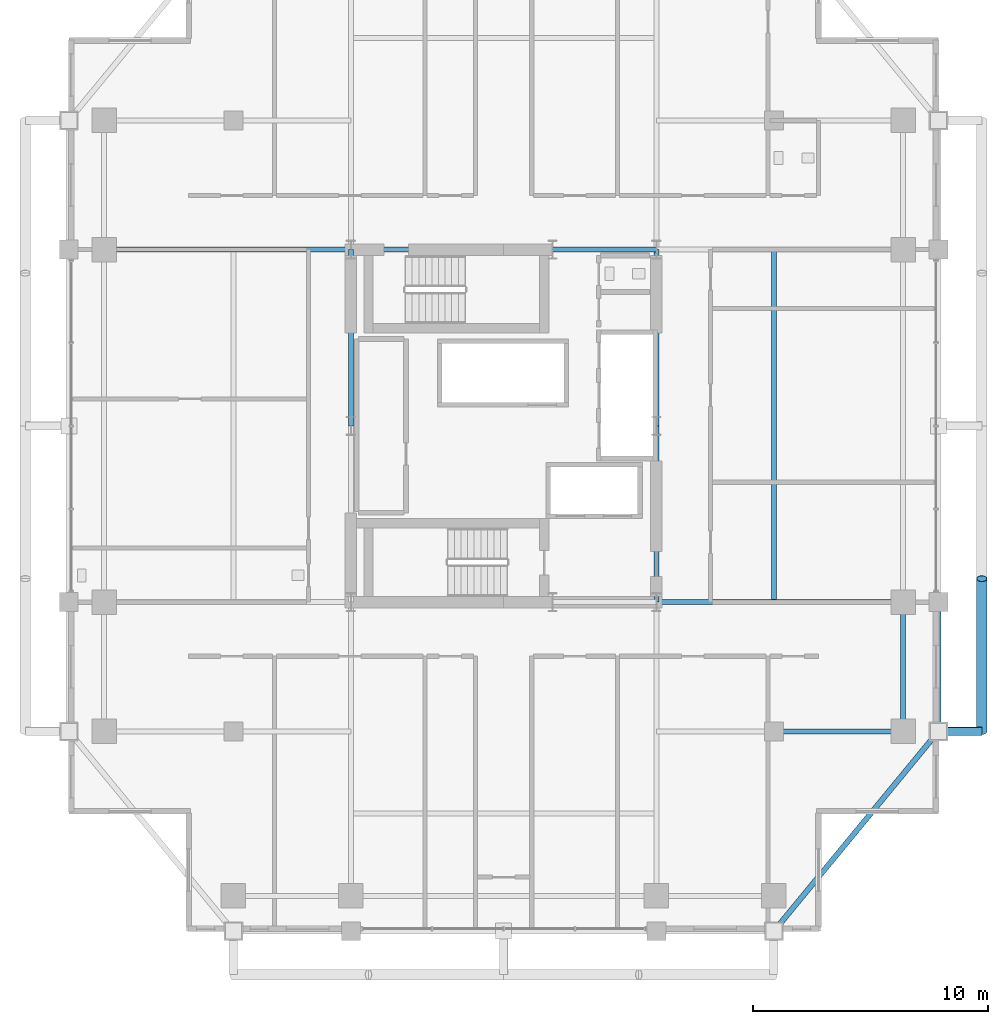
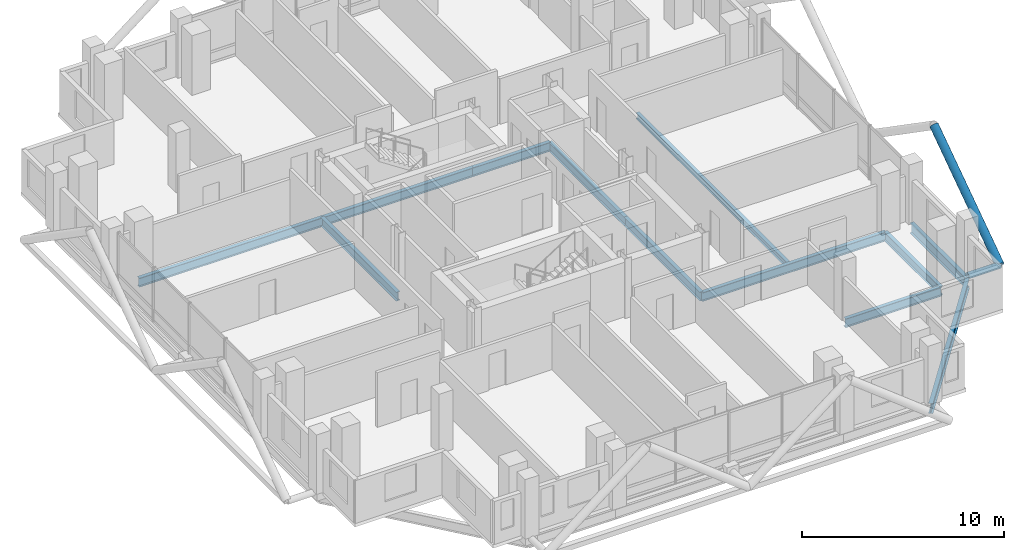
# One storey, part 10 of 25: 12 beams, 2 members.
"""IFC4 building model written with IfcOpenShell, lengths in metres."""

import ifcopenshell
import ifcopenshell.guid

model = None  # the IFC model being written
_history = None  # IfcOwnerHistory: only IFC2X3 demands one
_inside = {}  # id of a spatial element -> (the spatial element, [elements in it])
_under = {}  # id of a project, library or spatial element -> (it, [spatial elements below it])
_declared = {}  # id of a project -> (the project, [libraries it declares])
_typed = {}  # id of a type object -> (the type object, [elements of that type])
_made_of = {}  # id of a material, layer set ... -> (it, [elements and type objects made of it])


def new_model(schema):
    """Start an empty IFC model of exactly this schema.

    Asked for "IFC4X3", IfcOpenShell would pick the latest addendum, in which some entities
    have other attributes; the version numbers below select the first issue.
    IFC2X3 requires an IfcOwnerHistory on every rooted entity: one is made here for all.
    """
    global model, _history
    if schema == "IFC4X3":
        model = ifcopenshell.file(schema_version=(4, 3, 0, 0))
    else:
        model = ifcopenshell.file(schema=schema)
    _inside.clear()
    _under.clear()
    _declared.clear()
    _typed.clear()
    _made_of.clear()
    _history = None
    if model.schema == "IFC2X3":
        org = make("IfcOrganization", Name="unknown")
        user = make(
            "IfcPersonAndOrganization",
            ThePerson=make("IfcPerson", FamilyName="unknown"),
            TheOrganization=org,
        )
        app = make(
            "IfcApplication",
            ApplicationDeveloper=org,
            Version="unknown",
            ApplicationFullName="unknown",
            ApplicationIdentifier="unknown",
        )
        _history = make(
            "IfcOwnerHistory",
            OwningUser=user,
            OwningApplication=app,
            ChangeAction="ADDED",
            CreationDate=0,
        )
    return model


def make(cls, **values):
    """One entity of the class cls with the attributes given. An attribute that is None is left unset."""
    return model.create_entity(
        cls, **{name: value for name, value in values.items() if value is not None}
    )


def rooted(cls, **values):
    """An entity with a GlobalId (a new one), such as an element, a storey or a relation."""
    return make(cls, GlobalId=ifcopenshell.guid.new(), OwnerHistory=_history, **values)


def si_unit(unit_type, name, prefix=None):
    """IfcSIUnit, for example si_unit("LENGTHUNIT", "METRE", prefix="MILLI")."""
    return make("IfcSIUnit", UnitType=unit_type, Prefix=prefix, Name=name)


def assignment(units):
    """IfcUnitAssignment: the units of a project."""
    return None if units is None else make("IfcUnitAssignment", Units=units)


def point(xyz):
    """IfcCartesianPoint."""
    return None if xyz is None else make("IfcCartesianPoint", Coordinates=xyz)


def direction(xyz):
    """IfcDirection."""
    return None if xyz is None else make("IfcDirection", DirectionRatios=xyz)


def frame(location, z_axis=None, x_axis=None):
    """IfcAxis2Placement3D, a coordinate frame: its origin and axes. An axis left out is left unset."""
    return make(
        "IfcAxis2Placement3D",
        Location=point(location),
        Axis=direction(z_axis),
        RefDirection=direction(x_axis),
    )


def frame_2d(location, x_axis=None):
    """IfcAxis2Placement2D, a coordinate frame in the plane: its origin and x axis."""
    return make(
        "IfcAxis2Placement2D", Location=point(location), RefDirection=direction(x_axis)
    )


def origin():
    """The frame at (0, 0, 0) with its axes left unset."""
    return frame((0.0, 0.0, 0.0))


def origin_2d():
    """The frame at (0, 0) in the plane with its x axis left unset."""
    return frame_2d((0.0, 0.0))


def place(relative_to, where):
    """IfcLocalPlacement: puts the frame where relative to a parent placement (None: the world)."""
    return make(
        "IfcLocalPlacement", PlacementRelTo=relative_to, RelativePlacement=where
    )


def context(
    kind, dimensions, precision=None, world=None, true_north=None, identifier=None
):
    """IfcGeometricRepresentationContext, for example the 3D "Model" context."""
    return make(
        "IfcGeometricRepresentationContext",
        ContextIdentifier=identifier,
        ContextType=kind,
        CoordinateSpaceDimension=dimensions,
        Precision=precision,
        WorldCoordinateSystem=world,
        TrueNorth=true_north,
    )


def subcontext(parent, identifier, kind, view, scale=None):
    """IfcGeometricRepresentationSubContext, for example "Body" below "Model"."""
    return make(
        "IfcGeometricRepresentationSubContext",
        ContextIdentifier=identifier,
        ContextType=kind,
        ParentContext=parent,
        TargetScale=scale,
        TargetView=view,
    )


def project(units=None, contexts=None):
    """IfcProject with its units and contexts."""
    return rooted(
        "IfcProject",
        Name="project",
        RepresentationContexts=contexts,
        UnitsInContext=assignment(units),
    )


def spatial(cls, under=None, at=None, **own):
    """A site, building, storey or space (cls), placed at a placement, below another one or the project."""
    s = rooted(cls, ObjectPlacement=at, **own)
    if under is not None:
        _under.setdefault(under.id(), (under, []))[1].append(s)
    return s


def profile(cls, at=None, kind="AREA", **sizes):
    """A parametric profile (cls). Its sizes go by their IFC names, for example OverallWidth=200.0."""
    return make(cls, ProfileType=kind, Position=at, **sizes)


def hollow_circle(**sizes):
    """IfcCircleHollowProfileDef."""
    return profile("IfcCircleHollowProfileDef", **sizes)


def i_section(**sizes):
    """IfcIShapeProfileDef."""
    return profile("IfcIShapeProfileDef", **sizes)


def extrude(swept, where, along, depth):
    """IfcExtrudedAreaSolid: the profile swept, set in the frame where, extruded along a direction by depth."""
    return make(
        "IfcExtrudedAreaSolid",
        SweptArea=swept,
        Position=where,
        ExtrudedDirection=direction(along),
        Depth=depth,
    )


def shape(context_of_items, identifier, shape_type, items):
    """IfcShapeRepresentation: the items that make up one representation, for example the "Body"."""
    return make(
        "IfcShapeRepresentation",
        ContextOfItems=context_of_items,
        RepresentationIdentifier=identifier,
        RepresentationType=shape_type,
        Items=items,
    )


def material(Name=None, Category=None):
    """IfcMaterial."""
    return make("IfcMaterial", Name=Name, Category=Category)


def material_profile(
    of_material, cross_section, Name=None, Category=None, Priority=None
):
    """IfcMaterialProfile: a cross section and its material."""
    return make(
        "IfcMaterialProfile",
        Name=Name,
        Material=of_material,
        Profile=cross_section,
        Priority=Priority,
        Category=Category,
    )


def profile_set(profiles, Name=None, composite=None):
    """IfcMaterialProfileSet."""
    return make(
        "IfcMaterialProfileSet",
        Name=Name,
        MaterialProfiles=profiles,
        CompositeProfile=composite,
    )


def made_of(thing, what):
    """Note that an element or type object is made of a material, layer set ...; save() writes the relation."""
    if what is not None:
        _made_of.setdefault(what.id(), (what, []))[1].append(thing)
    return thing


def type_object(cls, material=None, **own):
    """A type object (cls), such as IfcWallType, which elements share."""
    return made_of(rooted(cls, **own), material)


def element(
    cls,
    number,
    at=None,
    inside=None,
    cuts=None,
    type_object=None,
    material=None,
    context=None,
    identifier="Body",
    shape_type=None,
    held_by="IfcProductDefinitionShape",
    body=None,
    shapes=None,
    **own,
):
    """One element of the class cls, such as IfcWall. Its Tag is "e" and its number.

    at: its placement. inside: the storey or other place that contains it. cuts: it is an
    opening in that element (IfcRelVoidsElement). A single representation is given by context,
    identifier, shape_type and body (its items); several are given by shapes. held_by: the class
    of the entity that holds the representations. save() writes the other relations.
    """
    e = rooted(cls, Tag="e%d" % number, ObjectPlacement=at, **own)
    if body is not None:
        shapes = [shape(context, identifier, shape_type, body)]
    if shapes is not None:
        e.Representation = make(held_by, Representations=shapes)
    if inside is not None:
        _inside.setdefault(inside.id(), (inside, []))[1].append(e)
    if cuts is not None:
        rooted(
            "IfcRelVoidsElement", RelatingBuildingElement=cuts, RelatedOpeningElement=e
        )
    if type_object is not None:
        _typed.setdefault(type_object.id(), (type_object, []))[1].append(e)
    return made_of(e, material)


def aggregate(whole, parts):
    """IfcRelAggregates: a whole, such as a stair, and the parts it consists of."""
    return rooted("IfcRelAggregates", RelatingObject=whole, RelatedObjects=parts)


def save(model, path):
    """Write the relations noted so far, then the file.

    IfcRelAggregates (storeys below a building ...), IfcRelContainedInSpatialStructure (elements
    in a storey), IfcRelDefinesByType, IfcRelAssociatesMaterial and IfcRelDeclares: one each for
    every whole, place, type object, material and project.
    """
    for whole, parts in _under.values():
        aggregate(whole, parts)
    for where, things in _inside.values():
        rooted(
            "IfcRelContainedInSpatialStructure",
            RelatedElements=things,
            RelatingStructure=where,
        )
    for kind, things in _typed.values():
        rooted("IfcRelDefinesByType", RelatedObjects=things, RelatingType=kind)
    for what, things in _made_of.values():
        rooted("IfcRelAssociatesMaterial", RelatedObjects=things, RelatingMaterial=what)
    for by, libraries in _declared.values():
        rooted("IfcRelDeclares", RelatingContext=by, RelatedDefinitions=libraries)
    model.write(path)


model = new_model("IFC4")

# Units and contexts
model_context = context("Model", 3, precision=1e-05, world=origin(), true_north=direction((0.0, 1.0)))
body_context = subcontext(model_context, "Body", "Model", "MODEL_VIEW")
ifc_project = project(units=[si_unit("LENGTHUNIT", "METRE"), si_unit("AREAUNIT", "SQUARE_METRE"), si_unit("VOLUMEUNIT", "CUBIC_METRE"), si_unit("PLANEANGLEUNIT", "RADIAN"), si_unit("MASSUNIT", "GRAM", prefix="KILO")], contexts=[model_context])

# Site, building, storey
site_placement = place(None, origin())
site = spatial("IfcSite", under=ifc_project, at=site_placement, CompositionType="ELEMENT")
building_placement = place(site_placement, origin())
building = spatial("IfcBuilding", under=site, at=building_placement, Name="Barlavira Tower and Art Museum", CompositionType="ELEMENT")
storey_placement = place(building_placement, frame((0.0, 0.0, 208.800048828125)))
storey = spatial("IfcBuildingStorey", under=building, at=storey_placement, Name="L54", CompositionType="ELEMENT", Elevation=208.800048828125)

# Members
ifc_material = material(Name="Steel S355", Category="steel")
ifc_material_profile_1 = material_profile(ifc_material, hollow_circle(Radius=0.228515625, WallThickness=0.02001953125, at=origin_2d()), Name="CHS 457.0x20.0")
ifc_profile_set_1 = profile_set([ifc_material_profile_1], Name="Steel S355")
member_type_1 = type_object("IfcMemberType", Name="Pale-Metal Exoskeleton Diagrid Tube CHS 457x20 Steel S355", PredefinedType="BRACE", material=ifc_profile_set_1)
member_1_placement = place(storey_placement, frame((20.35009765625, -13.0, -0.1201171875), z_axis=(0.0, 0.822192191644, 0.56920997883), x_axis=(-1.0, 0.0, 0.0)))
element("IfcMember", 1, at=member_1_placement, inside=storey, type_object=member_type_1, Name="L54 Exoskeleton Diagrid Tube E", PredefinedType="BRACE", context=body_context, shape_type="SweptSolid", body=[
    extrude(hollow_circle(Radius=0.228515625, WallThickness=0.02001953125, at=origin_2d()), origin(), (0.0, 0.0, 1.0), 7.90576171875),
])
ifc_material_profile_2 = material_profile(ifc_material, hollow_circle(Radius=0.177734375, WallThickness=0.01611328125, at=origin_2d()), Name="CHS 355.6x16.0")
ifc_profile_set_2 = profile_set([ifc_material_profile_2], Name="Steel S355")
member_type_2 = type_object("IfcMemberType", Name="Pale-Metal Exoskeleton Tie Strut CHS 356x16 Steel S355", PredefinedType="STRUT", material=ifc_profile_set_2)
member_2_placement = place(storey_placement, frame((20.35009765625, -13.0, -0.1201171875), z_axis=(-1.0, 0.0, 0.0), x_axis=(0.0, -1.0, 0.0)))
element("IfcMember", 2, at=member_2_placement, inside=storey, type_object=member_type_2, Name="L54 Exoskeleton Tie Strut E1", PredefinedType="STRUT", context=body_context, shape_type="SweptSolid", body=[
    extrude(hollow_circle(Radius=0.177734375, WallThickness=0.01611328125, at=origin_2d()), origin(), (0.0, 0.0, 1.0), 1.85009765625),
])

# Beams
ifc_material_profile_3 = material_profile(ifc_material, i_section(OverallWidth=0.22998046875, OverallDepth=0.616943359375, WebThickness=0.01318359375, FlangeThickness=0.022216796875, at=origin_2d()), Name="W610x140.0")
ifc_profile_set_3 = profile_set([ifc_material_profile_3], Name="Steel S355")
beam_type_1 = type_object("IfcBeamType", Name="Upper Shaft Spandrel Edge Beam W610x140 Steel S355", PredefinedType="SPANDREL", material=ifc_profile_set_3)
beam_1_placement = place(storey_placement, frame((11.5, -21.5, -0.528564453125), z_axis=(0.635707252861, 0.771930235617, 0.0), x_axis=(-0.771930235617, 0.635707252861, 0.0)))
element("IfcBeam", 3, at=beam_1_placement, inside=storey, type_object=beam_type_1, Name="L54 Spandrel 4", PredefinedType="SPANDREL", context=body_context, shape_type="SweptSolid", body=[
    extrude(i_section(OverallWidth=0.22998046875, OverallDepth=0.616943359375, WebThickness=0.01318359375, FlangeThickness=0.022216796875, at=origin_2d()), origin(), (0.0, 0.0, 1.0), 11.011474609375),
])
beam_2_placement = place(storey_placement, frame((18.5, -13.0, -0.528564453125), z_axis=(0.0, 1.0, 0.0), x_axis=(-1.0, 0.0, 0.0)))
element("IfcBeam", 4, at=beam_2_placement, inside=storey, type_object=beam_type_1, Name="L54 Spandrel 5", PredefinedType="SPANDREL", context=body_context, shape_type="SweptSolid", body=[
    extrude(i_section(OverallWidth=0.22998046875, OverallDepth=0.616943359375, WebThickness=0.01318359375, FlangeThickness=0.022216796875, at=origin_2d()), origin(), (0.0, 0.0, 1.0), 5.5),
])
ifc_material_profile_4 = material_profile(ifc_material, i_section(OverallWidth=0.205078125, OverallDepth=0.35400390625, WebThickness=0.009521484375, FlangeThickness=0.016845703125, at=origin_2d()), Name="W360x79.0")
ifc_profile_set_4 = profile_set([ifc_material_profile_4], Name="Steel S355")
beam_type_2 = type_object("IfcBeamType", Name="Zone 3 Composite Floor Joist W360x79 Steel S355", PredefinedType="JOIST", material=ifc_profile_set_4)
beam_3_placement = place(storey_placement, frame((11.5, -7.5, -0.39697265625), z_axis=(0.0, 1.0, 0.0), x_axis=(-1.0, 0.0, 0.0)))
element("IfcBeam", 5, at=beam_3_placement, inside=storey, type_object=beam_type_2, Name="L54 Joist W2", PredefinedType="JOIST", context=body_context, shape_type="SweptSolid", body=[
    extrude(i_section(OverallWidth=0.205078125, OverallDepth=0.35400390625, WebThickness=0.009521484375, FlangeThickness=0.016845703125, at=origin_2d()), origin(), (0.0, 0.0, 1.0), 15.0),
])
ifc_material_profile_5 = material_profile(ifc_material, i_section(OverallWidth=0.2109375, OverallDepth=0.5390625, WebThickness=0.01171875, FlangeThickness=0.018798828125, at=origin_2d()), Name="W530x109.0")
ifc_profile_set_5 = profile_set([ifc_material_profile_5], Name="Steel S355")
beam_type_3 = type_object("IfcBeamType", Name="Zone 3-4 Primary Floor Girder W530x109 Steel S355", PredefinedType="BEAM", material=ifc_profile_set_5)
beam_4_placement = place(storey_placement, frame((-6.5, 7.5, -0.489501953125), z_axis=(1.0, 0.0, 0.0), x_axis=(0.0, 1.0, 0.0)))
element("IfcBeam", 6, at=beam_4_placement, inside=storey, type_object=beam_type_3, Name="L54 Girder C-N1", PredefinedType="BEAM", context=body_context, shape_type="SweptSolid", body=[
    extrude(i_section(OverallWidth=0.2109375, OverallDepth=0.5390625, WebThickness=0.01171875, FlangeThickness=0.018798828125, at=origin_2d()), origin(), (0.0, 0.0, 1.0), 8.580078125),
])
beam_5_placement = place(storey_placement, frame((2.080078125, 7.5, -0.489501953125), z_axis=(1.0, 0.0, 0.0), x_axis=(0.0, 1.0, 0.0)))
element("IfcBeam", 7, at=beam_5_placement, inside=storey, type_object=beam_type_3, Name="L54 Girder C-N2", PredefinedType="BEAM", context=body_context, shape_type="SweptSolid", body=[
    extrude(i_section(OverallWidth=0.2109375, OverallDepth=0.5390625, WebThickness=0.01171875, FlangeThickness=0.018798828125, at=origin_2d()), origin(), (0.0, 0.0, 1.0), 4.419921875),
])
for number, where, z_axis, x_axis, name in (
    (8, (-6.5, 0.0, -0.489501953125), (0.0, 1.0, 0.0), (-1.0, 0.0, 0.0), "L54 Girder C-W2"),
    (9, (6.5, -7.5, -0.489501953125), (0.0, 1.0, 0.0), (-1.0, 0.0, 0.0), "L54 Girder C-E1"),
    (10, (6.5, 0.0, -0.489501953125), (0.0, 1.0, 0.0), (-1.0, 0.0, 0.0), "L54 Girder C-E2"),
):
    element("IfcBeam", number, at=place(storey_placement, frame(where, z_axis=z_axis, x_axis=x_axis)), inside=storey, type_object=beam_type_3, Name=name, PredefinedType="BEAM", context=body_context, shape_type="SweptSolid", body=[
        extrude(i_section(OverallWidth=0.2109375, OverallDepth=0.5390625, WebThickness=0.01171875, FlangeThickness=0.018798828125, at=origin_2d()), origin(), (0.0, 0.0, 1.0), 7.5),
    ])
beam_6_placement = place(storey_placement, frame((17.0, -13.0, -0.489501953125), z_axis=(0.0, 1.0, 0.0), x_axis=(-1.0, 0.0, 0.0)))
element("IfcBeam", 11, at=beam_6_placement, inside=storey, type_object=beam_type_3, Name="L54 Girder M-E1", PredefinedType="BEAM", context=body_context, shape_type="SweptSolid", body=[
    extrude(i_section(OverallWidth=0.2109375, OverallDepth=0.5390625, WebThickness=0.01171875, FlangeThickness=0.018798828125, at=origin_2d()), origin(), (0.0, 0.0, 1.0), 5.5),
])
for number, where, z_axis, x_axis, name in (
    (12, (-17.0, 7.5, -0.489501953125), (1.0, 0.0, 0.0), (0.0, 1.0, 0.0), "L54 Girder R-W2"),
    (13, (6.5, -7.5, -0.489501953125), (1.0, 0.0, 0.0), (0.0, 1.0, 0.0), "L54 Girder R-E1"),
):
    element("IfcBeam", number, at=place(storey_placement, frame(where, z_axis=z_axis, x_axis=x_axis)), inside=storey, type_object=beam_type_3, Name=name, PredefinedType="BEAM", context=body_context, shape_type="SweptSolid", body=[
        extrude(i_section(OverallWidth=0.2109375, OverallDepth=0.5390625, WebThickness=0.01171875, FlangeThickness=0.018798828125, at=origin_2d()), origin(), (0.0, 0.0, 1.0), 10.5),
    ])
beam_7_placement = place(storey_placement, frame((11.5, -13.0, -0.489501953125), z_axis=(1.0, 0.0, 0.0), x_axis=(0.0, 1.0, 0.0)))
element("IfcBeam", 14, at=beam_7_placement, inside=storey, type_object=beam_type_3, Name="L54 Girder I-S4", PredefinedType="BEAM", context=body_context, shape_type="SweptSolid", body=[
    extrude(i_section(OverallWidth=0.2109375, OverallDepth=0.5390625, WebThickness=0.01171875, FlangeThickness=0.018798828125, at=origin_2d()), origin(), (0.0, 0.0, 1.0), 5.5),
])

save(model, "model.ifc")
